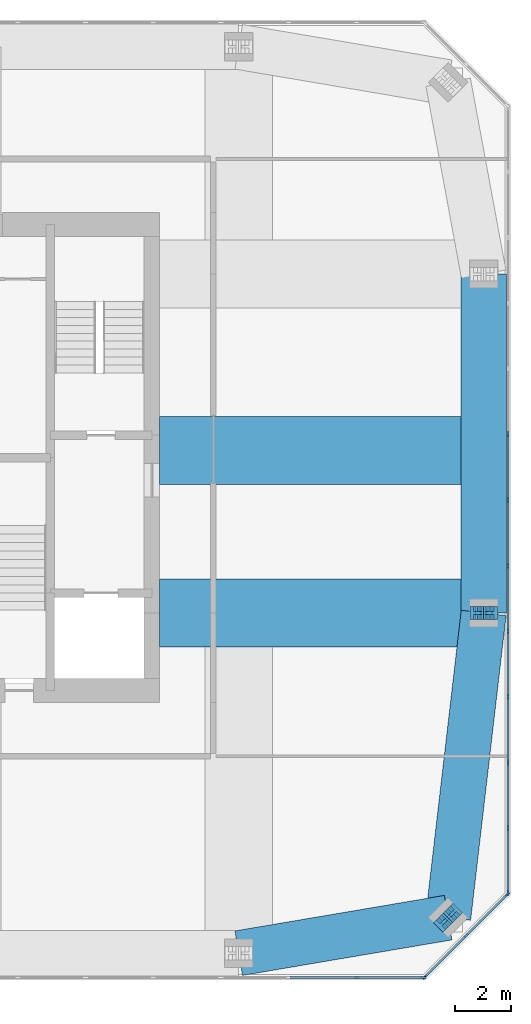
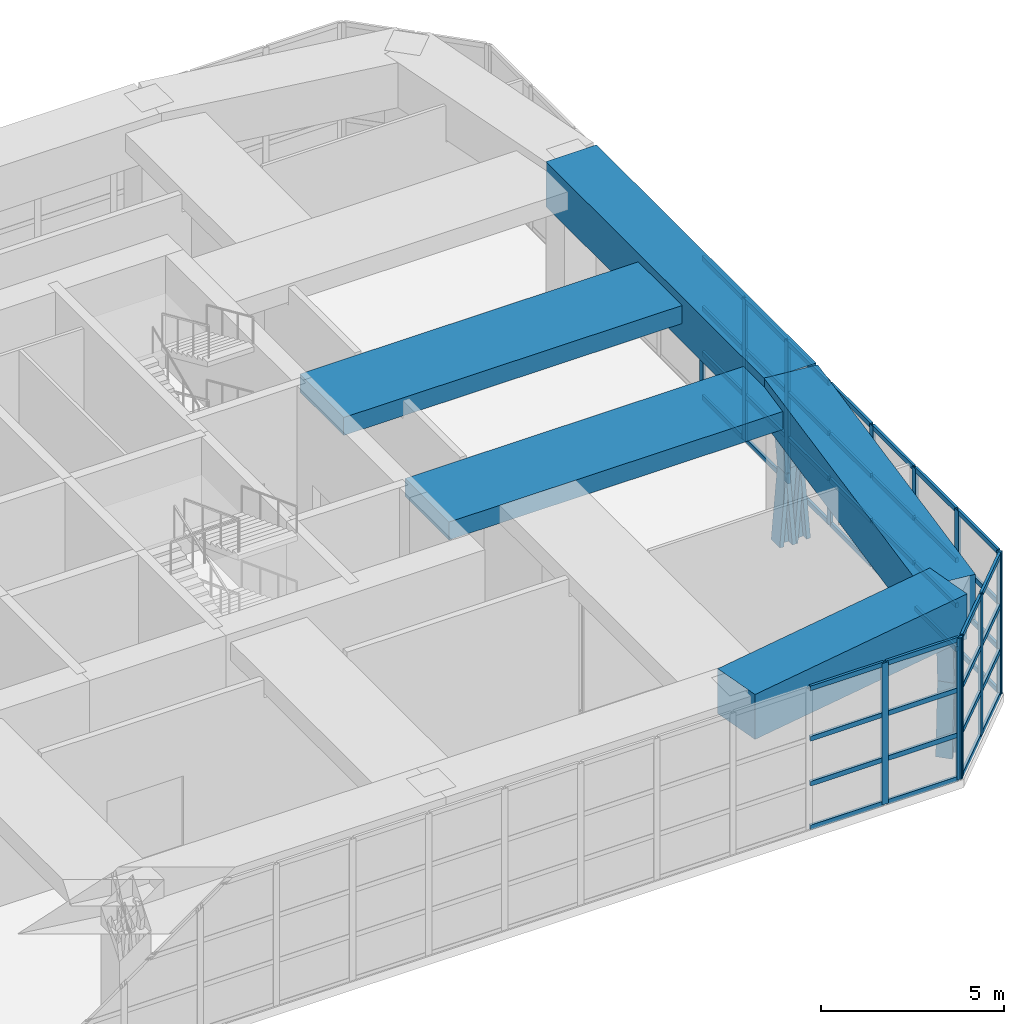
# One storey, part 5 of 14: 65 members, 5 beams, 3 elements without a shape of their own.
"""IFC4 building model written with IfcOpenShell, lengths in metres."""

import ifcopenshell
import ifcopenshell.guid

model = None  # the IFC model being written
_history = None  # IfcOwnerHistory: only IFC2X3 demands one
_inside = {}  # id of a spatial element -> (the spatial element, [elements in it])
_under = {}  # id of a project, library or spatial element -> (it, [spatial elements below it])
_declared = {}  # id of a project -> (the project, [libraries it declares])
_typed = {}  # id of a type object -> (the type object, [elements of that type])
_made_of = {}  # id of a material, layer set ... -> (it, [elements and type objects made of it])


def new_model(schema):
    """Start an empty IFC model of exactly this schema.

    Asked for "IFC4X3", IfcOpenShell would pick the latest addendum, in which some entities
    have other attributes; the version numbers below select the first issue.
    IFC2X3 requires an IfcOwnerHistory on every rooted entity: one is made here for all.
    """
    global model, _history
    if schema == "IFC4X3":
        model = ifcopenshell.file(schema_version=(4, 3, 0, 0))
    else:
        model = ifcopenshell.file(schema=schema)
    _inside.clear()
    _under.clear()
    _declared.clear()
    _typed.clear()
    _made_of.clear()
    _history = None
    if model.schema == "IFC2X3":
        org = make("IfcOrganization", Name="unknown")
        user = make(
            "IfcPersonAndOrganization",
            ThePerson=make("IfcPerson", FamilyName="unknown"),
            TheOrganization=org,
        )
        app = make(
            "IfcApplication",
            ApplicationDeveloper=org,
            Version="unknown",
            ApplicationFullName="unknown",
            ApplicationIdentifier="unknown",
        )
        _history = make(
            "IfcOwnerHistory",
            OwningUser=user,
            OwningApplication=app,
            ChangeAction="ADDED",
            CreationDate=0,
        )
    return model


def make(cls, **values):
    """One entity of the class cls with the attributes given. An attribute that is None is left unset."""
    return model.create_entity(
        cls, **{name: value for name, value in values.items() if value is not None}
    )


def rooted(cls, **values):
    """An entity with a GlobalId (a new one), such as an element, a storey or a relation."""
    return make(cls, GlobalId=ifcopenshell.guid.new(), OwnerHistory=_history, **values)


def si_unit(unit_type, name, prefix=None):
    """IfcSIUnit, for example si_unit("LENGTHUNIT", "METRE", prefix="MILLI")."""
    return make("IfcSIUnit", UnitType=unit_type, Prefix=prefix, Name=name)


def assignment(units):
    """IfcUnitAssignment: the units of a project."""
    return None if units is None else make("IfcUnitAssignment", Units=units)


def point(xyz):
    """IfcCartesianPoint."""
    return None if xyz is None else make("IfcCartesianPoint", Coordinates=xyz)


def direction(xyz):
    """IfcDirection."""
    return None if xyz is None else make("IfcDirection", DirectionRatios=xyz)


def frame(location, z_axis=None, x_axis=None):
    """IfcAxis2Placement3D, a coordinate frame: its origin and axes. An axis left out is left unset."""
    return make(
        "IfcAxis2Placement3D",
        Location=point(location),
        Axis=direction(z_axis),
        RefDirection=direction(x_axis),
    )


def frame_2d(location, x_axis=None):
    """IfcAxis2Placement2D, a coordinate frame in the plane: its origin and x axis."""
    return make(
        "IfcAxis2Placement2D", Location=point(location), RefDirection=direction(x_axis)
    )


def origin():
    """The frame at (0, 0, 0) with its axes left unset."""
    return frame((0.0, 0.0, 0.0))


def origin_2d():
    """The frame at (0, 0) in the plane with its x axis left unset."""
    return frame_2d((0.0, 0.0))


def place(relative_to, where):
    """IfcLocalPlacement: puts the frame where relative to a parent placement (None: the world)."""
    return make(
        "IfcLocalPlacement", PlacementRelTo=relative_to, RelativePlacement=where
    )


def context(
    kind, dimensions, precision=None, world=None, true_north=None, identifier=None
):
    """IfcGeometricRepresentationContext, for example the 3D "Model" context."""
    return make(
        "IfcGeometricRepresentationContext",
        ContextIdentifier=identifier,
        ContextType=kind,
        CoordinateSpaceDimension=dimensions,
        Precision=precision,
        WorldCoordinateSystem=world,
        TrueNorth=true_north,
    )


def subcontext(parent, identifier, kind, view, scale=None):
    """IfcGeometricRepresentationSubContext, for example "Body" below "Model"."""
    return make(
        "IfcGeometricRepresentationSubContext",
        ContextIdentifier=identifier,
        ContextType=kind,
        ParentContext=parent,
        TargetScale=scale,
        TargetView=view,
    )


def project(units=None, contexts=None):
    """IfcProject with its units and contexts."""
    return rooted(
        "IfcProject",
        Name="project",
        RepresentationContexts=contexts,
        UnitsInContext=assignment(units),
    )


def spatial(cls, under=None, at=None, **own):
    """A site, building, storey or space (cls), placed at a placement, below another one or the project."""
    s = rooted(cls, ObjectPlacement=at, **own)
    if under is not None:
        _under.setdefault(under.id(), (under, []))[1].append(s)
    return s


def profile(cls, at=None, kind="AREA", **sizes):
    """A parametric profile (cls). Its sizes go by their IFC names, for example OverallWidth=200.0."""
    return make(cls, ProfileType=kind, Position=at, **sizes)


def rectangle(**sizes):
    """IfcRectangleProfileDef."""
    return profile("IfcRectangleProfileDef", **sizes)


def i_section(**sizes):
    """IfcIShapeProfileDef."""
    return profile("IfcIShapeProfileDef", **sizes)


def extrude(swept, where, along, depth):
    """IfcExtrudedAreaSolid: the profile swept, set in the frame where, extruded along a direction by depth."""
    return make(
        "IfcExtrudedAreaSolid",
        SweptArea=swept,
        Position=where,
        ExtrudedDirection=direction(along),
        Depth=depth,
    )


def shape(context_of_items, identifier, shape_type, items):
    """IfcShapeRepresentation: the items that make up one representation, for example the "Body"."""
    return make(
        "IfcShapeRepresentation",
        ContextOfItems=context_of_items,
        RepresentationIdentifier=identifier,
        RepresentationType=shape_type,
        Items=items,
    )


def material(Name=None, Category=None):
    """IfcMaterial."""
    return make("IfcMaterial", Name=Name, Category=Category)


def material_profile(
    of_material, cross_section, Name=None, Category=None, Priority=None
):
    """IfcMaterialProfile: a cross section and its material."""
    return make(
        "IfcMaterialProfile",
        Name=Name,
        Material=of_material,
        Profile=cross_section,
        Priority=Priority,
        Category=Category,
    )


def profile_set(profiles, Name=None, composite=None):
    """IfcMaterialProfileSet."""
    return make(
        "IfcMaterialProfileSet",
        Name=Name,
        MaterialProfiles=profiles,
        CompositeProfile=composite,
    )


def made_of(thing, what):
    """Note that an element or type object is made of a material, layer set ...; save() writes the relation."""
    if what is not None:
        _made_of.setdefault(what.id(), (what, []))[1].append(thing)
    return thing


def type_object(cls, material=None, **own):
    """A type object (cls), such as IfcWallType, which elements share."""
    return made_of(rooted(cls, **own), material)


def element(
    cls,
    number,
    at=None,
    inside=None,
    cuts=None,
    type_object=None,
    material=None,
    context=None,
    identifier="Body",
    shape_type=None,
    held_by="IfcProductDefinitionShape",
    body=None,
    shapes=None,
    **own,
):
    """One element of the class cls, such as IfcWall. Its Tag is "e" and its number.

    at: its placement. inside: the storey or other place that contains it. cuts: it is an
    opening in that element (IfcRelVoidsElement). A single representation is given by context,
    identifier, shape_type and body (its items); several are given by shapes. held_by: the class
    of the entity that holds the representations. save() writes the other relations.
    """
    e = rooted(cls, Tag="e%d" % number, ObjectPlacement=at, **own)
    if body is not None:
        shapes = [shape(context, identifier, shape_type, body)]
    if shapes is not None:
        e.Representation = make(held_by, Representations=shapes)
    if inside is not None:
        _inside.setdefault(inside.id(), (inside, []))[1].append(e)
    if cuts is not None:
        rooted(
            "IfcRelVoidsElement", RelatingBuildingElement=cuts, RelatedOpeningElement=e
        )
    if type_object is not None:
        _typed.setdefault(type_object.id(), (type_object, []))[1].append(e)
    return made_of(e, material)


def aggregate(whole, parts):
    """IfcRelAggregates: a whole, such as a stair, and the parts it consists of."""
    return rooted("IfcRelAggregates", RelatingObject=whole, RelatedObjects=parts)


def save(model, path):
    """Write the relations noted so far, then the file.

    IfcRelAggregates (storeys below a building ...), IfcRelContainedInSpatialStructure (elements
    in a storey), IfcRelDefinesByType, IfcRelAssociatesMaterial and IfcRelDeclares: one each for
    every whole, place, type object, material and project.
    """
    for whole, parts in _under.values():
        aggregate(whole, parts)
    for where, things in _inside.values():
        rooted(
            "IfcRelContainedInSpatialStructure",
            RelatedElements=things,
            RelatingStructure=where,
        )
    for kind, things in _typed.values():
        rooted("IfcRelDefinesByType", RelatedObjects=things, RelatingType=kind)
    for what, things in _made_of.values():
        rooted("IfcRelAssociatesMaterial", RelatedObjects=things, RelatingMaterial=what)
    for by, libraries in _declared.values():
        rooted("IfcRelDeclares", RelatingContext=by, RelatedDefinitions=libraries)
    model.write(path)


model = new_model("IFC4")

# Units and contexts
model_context = context("Model", 3, precision=1e-05, world=origin(), true_north=direction((0.0, 1.0)))
body_context = subcontext(model_context, "Body", "Model", "MODEL_VIEW")
ifc_project = project(units=[si_unit("LENGTHUNIT", "METRE"), si_unit("AREAUNIT", "SQUARE_METRE"), si_unit("VOLUMEUNIT", "CUBIC_METRE"), si_unit("PLANEANGLEUNIT", "RADIAN"), si_unit("MASSUNIT", "GRAM", prefix="KILO")], contexts=[model_context])

# Site, building, storey
site_placement = place(None, origin())
site = spatial("IfcSite", under=ifc_project, at=site_placement, CompositionType="ELEMENT")
building_placement = place(site_placement, origin())
building = spatial("IfcBuilding", under=site, at=building_placement, Name="Jalousie Tower", CompositionType="ELEMENT")
storey_placement = place(building_placement, frame((0.0, 0.0, 267.75)))
storey = spatial("IfcBuildingStorey", under=building, at=storey_placement, Name="L73", CompositionType="ELEMENT", Elevation=267.75)

# Curtain wall, members
ifc_material_1 = material(Name="Aluminium curtain wall", Category="aluminium")
curtain_wall_type = type_object("IfcCurtainWallType", Name="CROWN LOUVRE WALL", PredefinedType="USERDEFINED", material=ifc_material_1)
curtain_wall_1_placement = place(storey_placement, origin())
curtain_wall_1 = element("IfcCurtainWall", 1, at=curtain_wall_1_placement, inside=storey, type_object=curtain_wall_type, Name="Crown Louvre Wall L73 1", ObjectType="CROWN LOUVRE WALL", PredefinedType="USERDEFINED")
ifc_material_2 = material(Name="Aluminium mullion", Category="aluminium")
ifc_material_profile_1 = material_profile(ifc_material_2, rectangle(XDim=0.080078125, YDim=0.199951171875, at=origin_2d()), Name="MULLION 80x200")
ifc_profile_set_1 = profile_set([ifc_material_profile_1], Name="Aluminium mullion")
member_type_1 = type_object("IfcMemberType", Name="CROWN LOUVRE WALL MULLION", PredefinedType="MULLION", material=ifc_profile_set_1)
member_1_placement = place(storey_placement, frame((51.048828125, 0.08740234375, 0.0), z_axis=(0.0, 0.0, 1.0), x_axis=(0.0, 1.0, 0.0)))
member_1 = element("IfcMember", 2, at=member_1_placement, type_object=member_type_1, Name="CW-L mullion 14", PredefinedType="MULLION", context=body_context, shape_type="SweptSolid", body=[
    extrude(rectangle(XDim=0.080078125, YDim=0.199951171875, at=origin_2d()), origin(), (0.0, 0.0, 1.0), 4.719970703125),
])
member_2_placement = place(storey_placement, frame((53.40869140625, 0.08740234375, 0.0), z_axis=(0.0, 0.0, 1.0), x_axis=(0.0, 1.0, 0.0)))
member_2 = element("IfcMember", 3, at=member_2_placement, type_object=member_type_1, Name="CW-L mullion 15", PredefinedType="MULLION", context=body_context, shape_type="SweptSolid", body=[
    extrude(rectangle(XDim=0.080078125, YDim=0.199951171875, at=origin_2d()), origin(), (0.0, 0.0, 1.0), 4.719970703125),
])

curtain_wall_2_placement = place(storey_placement, origin())
curtain_wall_2 = element("IfcCurtainWall", 4, at=curtain_wall_2_placement, inside=storey, type_object=curtain_wall_type, Name="Crown Louvre Wall L73 2", ObjectType="CROWN LOUVRE WALL", PredefinedType="USERDEFINED")
member_3_placement = place(storey_placement, frame((53.47705078125, 0.11572265625, 0.0), z_axis=(0.0, 0.0, 1.0), x_axis=(-0.707106781187, 0.707106781187, 0.0)))
member_3 = element("IfcMember", 5, at=member_3_placement, type_object=member_type_1, Name="CW-L mullion 1", PredefinedType="MULLION", context=body_context, shape_type="SweptSolid", body=[
    extrude(rectangle(XDim=0.080078125, YDim=0.199951171875, at=origin_2d()), origin(), (0.0, 0.0, 1.0), 4.719970703125),
])
member_4_placement = place(storey_placement, frame((54.9306640625, 1.5693359375, 0.0), z_axis=(0.0, 0.0, 1.0), x_axis=(-0.707106781187, 0.707106781187, 0.0)))
member_4 = element("IfcMember", 6, at=member_4_placement, type_object=member_type_1, Name="CW-L mullion 2", PredefinedType="MULLION", context=body_context, shape_type="SweptSolid", body=[
    extrude(rectangle(XDim=0.080078125, YDim=0.199951171875, at=origin_2d()), origin(), (0.0, 0.0, 1.0), 4.719970703125),
])
member_5_placement = place(storey_placement, frame((56.38427734375, 3.02294921875, 0.0), z_axis=(0.0, 0.0, 1.0), x_axis=(-0.707106781187, 0.707106781187, 0.0)))
member_5 = element("IfcMember", 7, at=member_5_placement, type_object=member_type_1, Name="CW-L mullion 3", PredefinedType="MULLION", context=body_context, shape_type="SweptSolid", body=[
    extrude(rectangle(XDim=0.080078125, YDim=0.199951171875, at=origin_2d()), origin(), (0.0, 0.0, 1.0), 4.719970703125),
])

curtain_wall_3_placement = place(storey_placement, origin())
curtain_wall_3 = element("IfcCurtainWall", 8, at=curtain_wall_3_placement, inside=storey, type_object=curtain_wall_type, Name="Crown Louvre Wall L73 3", ObjectType="CROWN LOUVRE WALL", PredefinedType="USERDEFINED")
member_6_placement = place(storey_placement, frame((56.41259765625, 3.09130859375, 0.0), z_axis=(0.0, 0.0, 1.0), x_axis=(-1.0, 0.0, 0.0)))
member_6 = element("IfcMember", 9, at=member_6_placement, type_object=member_type_1, Name="CW-L mullion 1", PredefinedType="MULLION", context=body_context, shape_type="SweptSolid", body=[
    extrude(rectangle(XDim=0.080078125, YDim=0.199951171875, at=origin_2d()), origin(), (0.0, 0.0, 1.0), 4.719970703125),
])
member_7_placement = place(storey_placement, frame((56.41259765625, 5.3759765625, 0.0), z_axis=(0.0, 0.0, 1.0), x_axis=(-1.0, 0.0, 0.0)))
member_7 = element("IfcMember", 10, at=member_7_placement, type_object=member_type_1, Name="CW-L mullion 2", PredefinedType="MULLION", context=body_context, shape_type="SweptSolid", body=[
    extrude(rectangle(XDim=0.080078125, YDim=0.199951171875, at=origin_2d()), origin(), (0.0, 0.0, 1.0), 4.719970703125),
])
member_8_placement = place(storey_placement, frame((56.41259765625, 7.700927734375, 0.0), z_axis=(0.0, 0.0, 1.0), x_axis=(-1.0, 0.0, 0.0)))
member_8 = element("IfcMember", 11, at=member_8_placement, type_object=member_type_1, Name="CW-L mullion 3", PredefinedType="MULLION", context=body_context, shape_type="SweptSolid", body=[
    extrude(rectangle(XDim=0.080078125, YDim=0.199951171875, at=origin_2d()), origin(), (0.0, 0.0, 1.0), 4.719970703125),
])
member_9_placement = place(storey_placement, frame((56.41259765625, 10.025634765625, 0.0), z_axis=(0.0, 0.0, 1.0), x_axis=(-1.0, 0.0, 0.0)))
member_9 = element("IfcMember", 12, at=member_9_placement, type_object=member_type_1, Name="CW-L mullion 4", PredefinedType="MULLION", context=body_context, shape_type="SweptSolid", body=[
    extrude(rectangle(XDim=0.080078125, YDim=0.199951171875, at=origin_2d()), origin(), (0.0, 0.0, 1.0), 4.719970703125),
])
member_10_placement = place(storey_placement, frame((56.41259765625, 12.350341796875, 0.0), z_axis=(0.0, 0.0, 1.0), x_axis=(-1.0, 0.0, 0.0)))
member_10 = element("IfcMember", 13, at=member_10_placement, type_object=member_type_1, Name="CW-L mullion 5", PredefinedType="MULLION", context=body_context, shape_type="SweptSolid", body=[
    extrude(rectangle(XDim=0.080078125, YDim=0.199951171875, at=origin_2d()), origin(), (0.0, 0.0, 1.0), 4.719970703125),
])
member_11_placement = place(storey_placement, frame((56.41259765625, 14.67529296875, 0.0), z_axis=(0.0, 0.0, 1.0), x_axis=(-1.0, 0.0, 0.0)))
member_11 = element("IfcMember", 14, at=member_11_placement, type_object=member_type_1, Name="CW-L mullion 6", PredefinedType="MULLION", context=body_context, shape_type="SweptSolid", body=[
    extrude(rectangle(XDim=0.080078125, YDim=0.199951171875, at=origin_2d()), origin(), (0.0, 0.0, 1.0), 4.719970703125),
])
member_12_placement = place(storey_placement, frame((56.41259765625, 17.0, 0.0), z_axis=(0.0, 0.0, 1.0), x_axis=(-1.0, 0.0, 0.0)))
member_12 = element("IfcMember", 15, at=member_12_placement, type_object=member_type_1, Name="CW-L mullion 7", PredefinedType="MULLION", context=body_context, shape_type="SweptSolid", body=[
    extrude(rectangle(XDim=0.080078125, YDim=0.199951171875, at=origin_2d()), origin(), (0.0, 0.0, 1.0), 4.719970703125),
])
member_13_placement = place(storey_placement, frame((56.41259765625, 19.32470703125, 0.0), z_axis=(0.0, 0.0, 1.0), x_axis=(-1.0, 0.0, 0.0)))
member_13 = element("IfcMember", 16, at=member_13_placement, type_object=member_type_1, Name="CW-L mullion 8", PredefinedType="MULLION", context=body_context, shape_type="SweptSolid", body=[
    extrude(rectangle(XDim=0.080078125, YDim=0.199951171875, at=origin_2d()), origin(), (0.0, 0.0, 1.0), 4.719970703125),
])

# Member
ifc_material_3 = material(Name="Aluminium transom", Category="aluminium")
ifc_material_profile_2 = material_profile(ifc_material_3, rectangle(XDim=0.080078125, YDim=0.159912109375, at=origin_2d()), Name="TRANSOM 80x160")
ifc_profile_set_2 = profile_set([ifc_material_profile_2], Name="Aluminium transom")
member_type_2 = type_object("IfcMemberType", Name="CROWN LOUVRE WALL TRANSOM", PredefinedType="USERDEFINED", material=ifc_profile_set_2)
member_14_placement = place(storey_placement, frame((48.68896484375, 0.08740234375, 0.0400390625), z_axis=(1.0, 0.0, 0.0), x_axis=(0.0, 1.0, 0.0)))
member_14 = element("IfcMember", 17, at=member_14_placement, type_object=member_type_2, Name="CW-L transom 13.1", ObjectType="TRANSOM", PredefinedType="USERDEFINED", context=body_context, shape_type="SweptSolid", body=[
    extrude(rectangle(XDim=0.080078125, YDim=0.159912109375, at=origin_2d()), origin(), (0.0, 0.0, 1.0), 2.31982421875),
])

member_15_placement = place(storey_placement, frame((48.68896484375, 0.08740234375, 1.5), z_axis=(1.0, 0.0, 0.0), x_axis=(0.0, 1.0, 0.0)))
member_15 = element("IfcMember", 18, at=member_15_placement, type_object=member_type_2, Name="CW-L transom 13.2", ObjectType="TRANSOM", PredefinedType="USERDEFINED", context=body_context, shape_type="SweptSolid", body=[
    extrude(rectangle(XDim=0.080078125, YDim=0.159912109375, at=origin_2d()), origin(), (0.0, 0.0, 1.0), 2.31982421875),
])

member_16_placement = place(storey_placement, frame((48.68896484375, 0.08740234375, 3.0), z_axis=(1.0, 0.0, 0.0), x_axis=(0.0, 1.0, 0.0)))
member_16 = element("IfcMember", 19, at=member_16_placement, type_object=member_type_2, Name="CW-L transom 13.3", ObjectType="TRANSOM", PredefinedType="USERDEFINED", context=body_context, shape_type="SweptSolid", body=[
    extrude(rectangle(XDim=0.080078125, YDim=0.159912109375, at=origin_2d()), origin(), (0.0, 0.0, 1.0), 2.31982421875),
])

member_17_placement = place(storey_placement, frame((48.68896484375, 0.08740234375, 4.679931640625), z_axis=(1.0, 0.0, 0.0), x_axis=(0.0, 1.0, 0.0)))
member_17 = element("IfcMember", 20, at=member_17_placement, type_object=member_type_2, Name="CW-L transom 13.4", ObjectType="TRANSOM", PredefinedType="USERDEFINED", context=body_context, shape_type="SweptSolid", body=[
    extrude(rectangle(XDim=0.080078125, YDim=0.159912109375, at=origin_2d()), origin(), (0.0, 0.0, 1.0), 2.31982421875),
])

member_18_placement = place(storey_placement, frame((51.0888671875, 0.08740234375, 0.0400390625), z_axis=(1.0, 0.0, 0.0), x_axis=(0.0, 1.0, 0.0)))
member_18 = element("IfcMember", 21, at=member_18_placement, type_object=member_type_2, Name="CW-L transom 14.1", ObjectType="TRANSOM", PredefinedType="USERDEFINED", context=body_context, shape_type="SweptSolid", body=[
    extrude(rectangle(XDim=0.080078125, YDim=0.159912109375, at=origin_2d()), origin(), (0.0, 0.0, 1.0), 2.27978515625),
])

member_19_placement = place(storey_placement, frame((51.0888671875, 0.08740234375, 1.5), z_axis=(1.0, 0.0, 0.0), x_axis=(0.0, 1.0, 0.0)))
member_19 = element("IfcMember", 22, at=member_19_placement, type_object=member_type_2, Name="CW-L transom 14.2", ObjectType="TRANSOM", PredefinedType="USERDEFINED", context=body_context, shape_type="SweptSolid", body=[
    extrude(rectangle(XDim=0.080078125, YDim=0.159912109375, at=origin_2d()), origin(), (0.0, 0.0, 1.0), 2.27978515625),
])

member_20_placement = place(storey_placement, frame((51.0888671875, 0.08740234375, 3.0), z_axis=(1.0, 0.0, 0.0), x_axis=(0.0, 1.0, 0.0)))
member_20 = element("IfcMember", 23, at=member_20_placement, type_object=member_type_2, Name="CW-L transom 14.3", ObjectType="TRANSOM", PredefinedType="USERDEFINED", context=body_context, shape_type="SweptSolid", body=[
    extrude(rectangle(XDim=0.080078125, YDim=0.159912109375, at=origin_2d()), origin(), (0.0, 0.0, 1.0), 2.27978515625),
])

member_21_placement = place(storey_placement, frame((51.0888671875, 0.08740234375, 4.679931640625), z_axis=(1.0, 0.0, 0.0), x_axis=(0.0, 1.0, 0.0)))
member_21 = element("IfcMember", 24, at=member_21_placement, type_object=member_type_2, Name="CW-L transom 14.4", ObjectType="TRANSOM", PredefinedType="USERDEFINED", context=body_context, shape_type="SweptSolid", body=[
    extrude(rectangle(XDim=0.080078125, YDim=0.159912109375, at=origin_2d()), origin(), (0.0, 0.0, 1.0), 2.27978515625),
])

aggregate(curtain_wall_1, [member_1, member_2, member_14, member_15, member_16, member_17, member_18, member_19, member_20, member_21])

member_22_placement = place(storey_placement, frame((53.50537109375, 0.14404296875, 0.0400390625), z_axis=(0.707106781187, 0.707106781187, 0.0), x_axis=(-0.707106781187, 0.707106781187, 0.0)))
member_22 = element("IfcMember", 25, at=member_22_placement, type_object=member_type_2, Name="CW-L transom 1.1", ObjectType="TRANSOM", PredefinedType="USERDEFINED", context=body_context, shape_type="SweptSolid", body=[
    extrude(rectangle(XDim=0.080078125, YDim=0.159912109375, at=origin_2d()), origin(), (0.0, 0.0, 1.0), 1.9755859375),
])

member_23_placement = place(storey_placement, frame((53.50537109375, 0.14404296875, 1.5), z_axis=(0.707106781187, 0.707106781187, 0.0), x_axis=(-0.707106781187, 0.707106781187, 0.0)))
member_23 = element("IfcMember", 26, at=member_23_placement, type_object=member_type_2, Name="CW-L transom 1.2", ObjectType="TRANSOM", PredefinedType="USERDEFINED", context=body_context, shape_type="SweptSolid", body=[
    extrude(rectangle(XDim=0.080078125, YDim=0.159912109375, at=origin_2d()), origin(), (0.0, 0.0, 1.0), 1.9755859375),
])

member_24_placement = place(storey_placement, frame((53.50537109375, 0.14404296875, 3.0), z_axis=(0.707106781187, 0.707106781187, 0.0), x_axis=(-0.707106781187, 0.707106781187, 0.0)))
member_24 = element("IfcMember", 27, at=member_24_placement, type_object=member_type_2, Name="CW-L transom 1.3", ObjectType="TRANSOM", PredefinedType="USERDEFINED", context=body_context, shape_type="SweptSolid", body=[
    extrude(rectangle(XDim=0.080078125, YDim=0.159912109375, at=origin_2d()), origin(), (0.0, 0.0, 1.0), 1.9755859375),
])

member_25_placement = place(storey_placement, frame((53.50537109375, 0.14404296875, 4.679931640625), z_axis=(0.707106781187, 0.707106781187, 0.0), x_axis=(-0.707106781187, 0.707106781187, 0.0)))
member_25 = element("IfcMember", 28, at=member_25_placement, type_object=member_type_2, Name="CW-L transom 1.4", ObjectType="TRANSOM", PredefinedType="USERDEFINED", context=body_context, shape_type="SweptSolid", body=[
    extrude(rectangle(XDim=0.080078125, YDim=0.159912109375, at=origin_2d()), origin(), (0.0, 0.0, 1.0), 1.9755859375),
])

member_26_placement = place(storey_placement, frame((54.958984375, 1.59765625, 0.0400390625), z_axis=(0.707106781187, 0.707106781187, 0.0), x_axis=(-0.707106781187, 0.707106781187, 0.0)))
member_26 = element("IfcMember", 29, at=member_26_placement, type_object=member_type_2, Name="CW-L transom 2.1", ObjectType="TRANSOM", PredefinedType="USERDEFINED", context=body_context, shape_type="SweptSolid", body=[
    extrude(rectangle(XDim=0.080078125, YDim=0.159912109375, at=origin_2d()), origin(), (0.0, 0.0, 1.0), 1.9755859375),
])

member_27_placement = place(storey_placement, frame((54.958984375, 1.59765625, 1.5), z_axis=(0.707106781187, 0.707106781187, 0.0), x_axis=(-0.707106781187, 0.707106781187, 0.0)))
member_27 = element("IfcMember", 30, at=member_27_placement, type_object=member_type_2, Name="CW-L transom 2.2", ObjectType="TRANSOM", PredefinedType="USERDEFINED", context=body_context, shape_type="SweptSolid", body=[
    extrude(rectangle(XDim=0.080078125, YDim=0.159912109375, at=origin_2d()), origin(), (0.0, 0.0, 1.0), 1.9755859375),
])

member_28_placement = place(storey_placement, frame((54.958984375, 1.59765625, 3.0), z_axis=(0.707106781187, 0.707106781187, 0.0), x_axis=(-0.707106781187, 0.707106781187, 0.0)))
member_28 = element("IfcMember", 31, at=member_28_placement, type_object=member_type_2, Name="CW-L transom 2.3", ObjectType="TRANSOM", PredefinedType="USERDEFINED", context=body_context, shape_type="SweptSolid", body=[
    extrude(rectangle(XDim=0.080078125, YDim=0.159912109375, at=origin_2d()), origin(), (0.0, 0.0, 1.0), 1.9755859375),
])

member_29_placement = place(storey_placement, frame((54.958984375, 1.59765625, 4.679931640625), z_axis=(0.707106781187, 0.707106781187, 0.0), x_axis=(-0.707106781187, 0.707106781187, 0.0)))
member_29 = element("IfcMember", 32, at=member_29_placement, type_object=member_type_2, Name="CW-L transom 2.4", ObjectType="TRANSOM", PredefinedType="USERDEFINED", context=body_context, shape_type="SweptSolid", body=[
    extrude(rectangle(XDim=0.080078125, YDim=0.159912109375, at=origin_2d()), origin(), (0.0, 0.0, 1.0), 1.9755859375),
])

aggregate(curtain_wall_2, [member_3, member_4, member_5, member_22, member_23, member_24, member_25, member_26, member_27, member_28, member_29])

member_30_placement = place(storey_placement, frame((56.41259765625, 3.13134765625, 0.0400390625), z_axis=(0.0, 1.0, 0.0), x_axis=(-1.0, 0.0, 0.0)))
member_30 = element("IfcMember", 33, at=member_30_placement, type_object=member_type_2, Name="CW-L transom 1.1", ObjectType="TRANSOM", PredefinedType="USERDEFINED", context=body_context, shape_type="SweptSolid", body=[
    extrude(rectangle(XDim=0.080078125, YDim=0.159912109375, at=origin_2d()), origin(), (0.0, 0.0, 1.0), 2.204833984375),
])

member_31_placement = place(storey_placement, frame((56.41259765625, 3.13134765625, 1.5), z_axis=(0.0, 1.0, 0.0), x_axis=(-1.0, 0.0, 0.0)))
member_31 = element("IfcMember", 34, at=member_31_placement, type_object=member_type_2, Name="CW-L transom 1.2", ObjectType="TRANSOM", PredefinedType="USERDEFINED", context=body_context, shape_type="SweptSolid", body=[
    extrude(rectangle(XDim=0.080078125, YDim=0.159912109375, at=origin_2d()), origin(), (0.0, 0.0, 1.0), 2.204833984375),
])

member_32_placement = place(storey_placement, frame((56.41259765625, 3.13134765625, 3.0), z_axis=(0.0, 1.0, 0.0), x_axis=(-1.0, 0.0, 0.0)))
member_32 = element("IfcMember", 35, at=member_32_placement, type_object=member_type_2, Name="CW-L transom 1.3", ObjectType="TRANSOM", PredefinedType="USERDEFINED", context=body_context, shape_type="SweptSolid", body=[
    extrude(rectangle(XDim=0.080078125, YDim=0.159912109375, at=origin_2d()), origin(), (0.0, 0.0, 1.0), 2.204833984375),
])

member_33_placement = place(storey_placement, frame((56.41259765625, 3.13134765625, 4.679931640625), z_axis=(0.0, 1.0, 0.0), x_axis=(-1.0, 0.0, 0.0)))
member_33 = element("IfcMember", 36, at=member_33_placement, type_object=member_type_2, Name="CW-L transom 1.4", ObjectType="TRANSOM", PredefinedType="USERDEFINED", context=body_context, shape_type="SweptSolid", body=[
    extrude(rectangle(XDim=0.080078125, YDim=0.159912109375, at=origin_2d()), origin(), (0.0, 0.0, 1.0), 2.204833984375),
])

member_34_placement = place(storey_placement, frame((56.41259765625, 5.416015625, 0.0400390625), z_axis=(0.0, 1.0, 0.0), x_axis=(-1.0, 0.0, 0.0)))
member_34 = element("IfcMember", 37, at=member_34_placement, type_object=member_type_2, Name="CW-L transom 2.1", ObjectType="TRANSOM", PredefinedType="USERDEFINED", context=body_context, shape_type="SweptSolid", body=[
    extrude(rectangle(XDim=0.080078125, YDim=0.159912109375, at=origin_2d()), origin(), (0.0, 0.0, 1.0), 2.244873046875),
])

member_35_placement = place(storey_placement, frame((56.41259765625, 5.416015625, 1.5), z_axis=(0.0, 1.0, 0.0), x_axis=(-1.0, 0.0, 0.0)))
member_35 = element("IfcMember", 38, at=member_35_placement, type_object=member_type_2, Name="CW-L transom 2.2", ObjectType="TRANSOM", PredefinedType="USERDEFINED", context=body_context, shape_type="SweptSolid", body=[
    extrude(rectangle(XDim=0.080078125, YDim=0.159912109375, at=origin_2d()), origin(), (0.0, 0.0, 1.0), 2.244873046875),
])

member_36_placement = place(storey_placement, frame((56.41259765625, 5.416015625, 3.0), z_axis=(0.0, 1.0, 0.0), x_axis=(-1.0, 0.0, 0.0)))
member_36 = element("IfcMember", 39, at=member_36_placement, type_object=member_type_2, Name="CW-L transom 2.3", ObjectType="TRANSOM", PredefinedType="USERDEFINED", context=body_context, shape_type="SweptSolid", body=[
    extrude(rectangle(XDim=0.080078125, YDim=0.159912109375, at=origin_2d()), origin(), (0.0, 0.0, 1.0), 2.244873046875),
])

member_37_placement = place(storey_placement, frame((56.41259765625, 5.416015625, 4.679931640625), z_axis=(0.0, 1.0, 0.0), x_axis=(-1.0, 0.0, 0.0)))
member_37 = element("IfcMember", 40, at=member_37_placement, type_object=member_type_2, Name="CW-L transom 2.4", ObjectType="TRANSOM", PredefinedType="USERDEFINED", context=body_context, shape_type="SweptSolid", body=[
    extrude(rectangle(XDim=0.080078125, YDim=0.159912109375, at=origin_2d()), origin(), (0.0, 0.0, 1.0), 2.244873046875),
])

member_38_placement = place(storey_placement, frame((56.41259765625, 7.740966796875, 0.0400390625), z_axis=(0.0, 1.0, 0.0), x_axis=(-1.0, 0.0, 0.0)))
member_38 = element("IfcMember", 41, at=member_38_placement, type_object=member_type_2, Name="CW-L transom 3.1", ObjectType="TRANSOM", PredefinedType="USERDEFINED", context=body_context, shape_type="SweptSolid", body=[
    extrude(rectangle(XDim=0.080078125, YDim=0.159912109375, at=origin_2d()), origin(), (0.0, 0.0, 1.0), 2.24462890625),
])

member_39_placement = place(storey_placement, frame((56.41259765625, 7.740966796875, 1.5), z_axis=(0.0, 1.0, 0.0), x_axis=(-1.0, 0.0, 0.0)))
member_39 = element("IfcMember", 42, at=member_39_placement, type_object=member_type_2, Name="CW-L transom 3.2", ObjectType="TRANSOM", PredefinedType="USERDEFINED", context=body_context, shape_type="SweptSolid", body=[
    extrude(rectangle(XDim=0.080078125, YDim=0.159912109375, at=origin_2d()), origin(), (0.0, 0.0, 1.0), 2.24462890625),
])

member_40_placement = place(storey_placement, frame((56.41259765625, 7.740966796875, 3.0), z_axis=(0.0, 1.0, 0.0), x_axis=(-1.0, 0.0, 0.0)))
member_40 = element("IfcMember", 43, at=member_40_placement, type_object=member_type_2, Name="CW-L transom 3.3", ObjectType="TRANSOM", PredefinedType="USERDEFINED", context=body_context, shape_type="SweptSolid", body=[
    extrude(rectangle(XDim=0.080078125, YDim=0.159912109375, at=origin_2d()), origin(), (0.0, 0.0, 1.0), 2.24462890625),
])

member_41_placement = place(storey_placement, frame((56.41259765625, 7.740966796875, 4.679931640625), z_axis=(0.0, 1.0, 0.0), x_axis=(-1.0, 0.0, 0.0)))
member_41 = element("IfcMember", 44, at=member_41_placement, type_object=member_type_2, Name="CW-L transom 3.4", ObjectType="TRANSOM", PredefinedType="USERDEFINED", context=body_context, shape_type="SweptSolid", body=[
    extrude(rectangle(XDim=0.080078125, YDim=0.159912109375, at=origin_2d()), origin(), (0.0, 0.0, 1.0), 2.24462890625),
])

member_42_placement = place(storey_placement, frame((56.41259765625, 10.065673828125, 0.0400390625), z_axis=(0.0, 1.0, 0.0), x_axis=(-1.0, 0.0, 0.0)))
member_42 = element("IfcMember", 45, at=member_42_placement, type_object=member_type_2, Name="CW-L transom 4.1", ObjectType="TRANSOM", PredefinedType="USERDEFINED", context=body_context, shape_type="SweptSolid", body=[
    extrude(rectangle(XDim=0.080078125, YDim=0.159912109375, at=origin_2d()), origin(), (0.0, 0.0, 1.0), 2.244873046875),
])

member_43_placement = place(storey_placement, frame((56.41259765625, 10.065673828125, 1.5), z_axis=(0.0, 1.0, 0.0), x_axis=(-1.0, 0.0, 0.0)))
member_43 = element("IfcMember", 46, at=member_43_placement, type_object=member_type_2, Name="CW-L transom 4.2", ObjectType="TRANSOM", PredefinedType="USERDEFINED", context=body_context, shape_type="SweptSolid", body=[
    extrude(rectangle(XDim=0.080078125, YDim=0.159912109375, at=origin_2d()), origin(), (0.0, 0.0, 1.0), 2.244873046875),
])

member_44_placement = place(storey_placement, frame((56.41259765625, 10.065673828125, 3.0), z_axis=(0.0, 1.0, 0.0), x_axis=(-1.0, 0.0, 0.0)))
member_44 = element("IfcMember", 47, at=member_44_placement, type_object=member_type_2, Name="CW-L transom 4.3", ObjectType="TRANSOM", PredefinedType="USERDEFINED", context=body_context, shape_type="SweptSolid", body=[
    extrude(rectangle(XDim=0.080078125, YDim=0.159912109375, at=origin_2d()), origin(), (0.0, 0.0, 1.0), 2.244873046875),
])

member_45_placement = place(storey_placement, frame((56.41259765625, 10.065673828125, 4.679931640625), z_axis=(0.0, 1.0, 0.0), x_axis=(-1.0, 0.0, 0.0)))
member_45 = element("IfcMember", 48, at=member_45_placement, type_object=member_type_2, Name="CW-L transom 4.4", ObjectType="TRANSOM", PredefinedType="USERDEFINED", context=body_context, shape_type="SweptSolid", body=[
    extrude(rectangle(XDim=0.080078125, YDim=0.159912109375, at=origin_2d()), origin(), (0.0, 0.0, 1.0), 2.244873046875),
])

member_46_placement = place(storey_placement, frame((56.41259765625, 12.390380859375, 0.0400390625), z_axis=(0.0, 1.0, 0.0), x_axis=(-1.0, 0.0, 0.0)))
member_46 = element("IfcMember", 49, at=member_46_placement, type_object=member_type_2, Name="CW-L transom 5.1", ObjectType="TRANSOM", PredefinedType="USERDEFINED", context=body_context, shape_type="SweptSolid", body=[
    extrude(rectangle(XDim=0.080078125, YDim=0.159912109375, at=origin_2d()), origin(), (0.0, 0.0, 1.0), 2.244873046875),
])

member_47_placement = place(storey_placement, frame((56.41259765625, 12.390380859375, 1.5), z_axis=(0.0, 1.0, 0.0), x_axis=(-1.0, 0.0, 0.0)))
member_47 = element("IfcMember", 50, at=member_47_placement, type_object=member_type_2, Name="CW-L transom 5.2", ObjectType="TRANSOM", PredefinedType="USERDEFINED", context=body_context, shape_type="SweptSolid", body=[
    extrude(rectangle(XDim=0.080078125, YDim=0.159912109375, at=origin_2d()), origin(), (0.0, 0.0, 1.0), 2.244873046875),
])

member_48_placement = place(storey_placement, frame((56.41259765625, 12.390380859375, 3.0), z_axis=(0.0, 1.0, 0.0), x_axis=(-1.0, 0.0, 0.0)))
member_48 = element("IfcMember", 51, at=member_48_placement, type_object=member_type_2, Name="CW-L transom 5.3", ObjectType="TRANSOM", PredefinedType="USERDEFINED", context=body_context, shape_type="SweptSolid", body=[
    extrude(rectangle(XDim=0.080078125, YDim=0.159912109375, at=origin_2d()), origin(), (0.0, 0.0, 1.0), 2.244873046875),
])

member_49_placement = place(storey_placement, frame((56.41259765625, 12.390380859375, 4.679931640625), z_axis=(0.0, 1.0, 0.0), x_axis=(-1.0, 0.0, 0.0)))
member_49 = element("IfcMember", 52, at=member_49_placement, type_object=member_type_2, Name="CW-L transom 5.4", ObjectType="TRANSOM", PredefinedType="USERDEFINED", context=body_context, shape_type="SweptSolid", body=[
    extrude(rectangle(XDim=0.080078125, YDim=0.159912109375, at=origin_2d()), origin(), (0.0, 0.0, 1.0), 2.244873046875),
])

member_50_placement = place(storey_placement, frame((56.41259765625, 14.71533203125, 0.0400390625), z_axis=(0.0, 1.0, 0.0), x_axis=(-1.0, 0.0, 0.0)))
member_50 = element("IfcMember", 53, at=member_50_placement, type_object=member_type_2, Name="CW-L transom 6.1", ObjectType="TRANSOM", PredefinedType="USERDEFINED", context=body_context, shape_type="SweptSolid", body=[
    extrude(rectangle(XDim=0.080078125, YDim=0.159912109375, at=origin_2d()), origin(), (0.0, 0.0, 1.0), 2.24462890625),
])

member_51_placement = place(storey_placement, frame((56.41259765625, 14.71533203125, 1.5), z_axis=(0.0, 1.0, 0.0), x_axis=(-1.0, 0.0, 0.0)))
member_51 = element("IfcMember", 54, at=member_51_placement, type_object=member_type_2, Name="CW-L transom 6.2", ObjectType="TRANSOM", PredefinedType="USERDEFINED", context=body_context, shape_type="SweptSolid", body=[
    extrude(rectangle(XDim=0.080078125, YDim=0.159912109375, at=origin_2d()), origin(), (0.0, 0.0, 1.0), 2.24462890625),
])

member_52_placement = place(storey_placement, frame((56.41259765625, 14.71533203125, 3.0), z_axis=(0.0, 1.0, 0.0), x_axis=(-1.0, 0.0, 0.0)))
member_52 = element("IfcMember", 55, at=member_52_placement, type_object=member_type_2, Name="CW-L transom 6.3", ObjectType="TRANSOM", PredefinedType="USERDEFINED", context=body_context, shape_type="SweptSolid", body=[
    extrude(rectangle(XDim=0.080078125, YDim=0.159912109375, at=origin_2d()), origin(), (0.0, 0.0, 1.0), 2.24462890625),
])

member_53_placement = place(storey_placement, frame((56.41259765625, 14.71533203125, 4.679931640625), z_axis=(0.0, 1.0, 0.0), x_axis=(-1.0, 0.0, 0.0)))
member_53 = element("IfcMember", 56, at=member_53_placement, type_object=member_type_2, Name="CW-L transom 6.4", ObjectType="TRANSOM", PredefinedType="USERDEFINED", context=body_context, shape_type="SweptSolid", body=[
    extrude(rectangle(XDim=0.080078125, YDim=0.159912109375, at=origin_2d()), origin(), (0.0, 0.0, 1.0), 2.24462890625),
])

member_54_placement = place(storey_placement, frame((56.41259765625, 17.0400390625, 0.0400390625), z_axis=(0.0, 1.0, 0.0), x_axis=(-1.0, 0.0, 0.0)))
member_54 = element("IfcMember", 57, at=member_54_placement, type_object=member_type_2, Name="CW-L transom 7.1", ObjectType="TRANSOM", PredefinedType="USERDEFINED", context=body_context, shape_type="SweptSolid", body=[
    extrude(rectangle(XDim=0.080078125, YDim=0.159912109375, at=origin_2d()), origin(), (0.0, 0.0, 1.0), 2.24462890625),
])

member_55_placement = place(storey_placement, frame((56.41259765625, 17.0400390625, 1.5), z_axis=(0.0, 1.0, 0.0), x_axis=(-1.0, 0.0, 0.0)))
member_55 = element("IfcMember", 58, at=member_55_placement, type_object=member_type_2, Name="CW-L transom 7.2", ObjectType="TRANSOM", PredefinedType="USERDEFINED", context=body_context, shape_type="SweptSolid", body=[
    extrude(rectangle(XDim=0.080078125, YDim=0.159912109375, at=origin_2d()), origin(), (0.0, 0.0, 1.0), 2.24462890625),
])

member_56_placement = place(storey_placement, frame((56.41259765625, 17.0400390625, 3.0), z_axis=(0.0, 1.0, 0.0), x_axis=(-1.0, 0.0, 0.0)))
member_56 = element("IfcMember", 59, at=member_56_placement, type_object=member_type_2, Name="CW-L transom 7.3", ObjectType="TRANSOM", PredefinedType="USERDEFINED", context=body_context, shape_type="SweptSolid", body=[
    extrude(rectangle(XDim=0.080078125, YDim=0.159912109375, at=origin_2d()), origin(), (0.0, 0.0, 1.0), 2.24462890625),
])

member_57_placement = place(storey_placement, frame((56.41259765625, 17.0400390625, 4.679931640625), z_axis=(0.0, 1.0, 0.0), x_axis=(-1.0, 0.0, 0.0)))
member_57 = element("IfcMember", 60, at=member_57_placement, type_object=member_type_2, Name="CW-L transom 7.4", ObjectType="TRANSOM", PredefinedType="USERDEFINED", context=body_context, shape_type="SweptSolid", body=[
    extrude(rectangle(XDim=0.080078125, YDim=0.159912109375, at=origin_2d()), origin(), (0.0, 0.0, 1.0), 2.24462890625),
])

aggregate(curtain_wall_3, [member_6, member_7, member_8, member_9, member_10, member_11, member_12, member_13, member_30, member_31, member_32, member_33, member_34, member_35, member_36, member_37, member_38, member_39, member_40, member_41, member_42, member_43, member_44, member_45, member_46, member_47, member_48, member_49, member_50, member_51, member_52, member_53, member_54, member_55, member_56, member_57])

# Members
ifc_material_4 = material(Name="Steel ASTM A992 Grade 50", Category="steel")
ifc_material_profile_3 = material_profile(ifc_material_4, i_section(OverallWidth=0.472412109375, OverallDepth=0.5791015625, WebThickness=0.094970703125, FlangeThickness=0.1298828125, at=origin_2d()), Name="W14X808")
ifc_profile_set_3 = profile_set([ifc_material_profile_3], Name="Steel ASTM A992 Grade 50")
member_type_3 = type_object("IfcMemberType", Name="PERIMETER BRACE W14X808", PredefinedType="BRACE", material=ifc_profile_set_3)
for number, where, z_axis, x_axis, name in (
    (61, (54.151611328125, 2.065673828125, -0.60009765625), (0.058093491513, 0.058093491513, 0.996619432124), (-0.707106781187, 0.707106781187, 0.0), "Perimeter brace 05 L73 part 1"),
    (62, (54.29296875, 2.20703125, 1.824951171875), (0.058093491513, 0.058093491513, 0.996619432124), (-0.707106781187, 0.707106781187, 0.0), "Perimeter brace 05 L73 part 2"),
    (63, (54.434326171875, 2.348388671875, -0.60009765625), (-0.058093491513, -0.058093491513, 0.996619432124), (0.707106781187, -0.707106781187, 0.0), "Perimeter brace 05 L73 part 3"),
    (64, (54.29296875, 2.20703125, 1.824951171875), (-0.058093491513, -0.058093491513, 0.996619432124), (0.707106781187, -0.707106781187, 0.0), "Perimeter brace 05 L73 part 4"),
    (65, (55.35009765625, 13.0, -0.60009765625), (0.08217357985, 0.0, 0.996618032535), (0.0, 1.0, 0.0), "Perimeter brace 06 L73 part 1"),
    (66, (55.550048828125, 13.0, 1.824951171875), (0.08217357985, 0.0, 0.996618032535), (0.0, 1.0, 0.0), "Perimeter brace 06 L73 part 2"),
    (67, (55.75, 13.0, -0.60009765625), (-0.08217357985, 0.0, 0.996618032535), (0.0, -1.0, 0.0), "Perimeter brace 06 L73 part 3"),
    (68, (55.550048828125, 13.0, 1.824951171875), (-0.08217357985, 0.0, 0.996618032535), (0.0, -1.0, 0.0), "Perimeter brace 06 L73 part 4"),
):
    element("IfcMember", number, at=place(storey_placement, frame(where, z_axis=z_axis, x_axis=x_axis)), inside=storey, type_object=member_type_3, Name=name, PredefinedType="BRACE", context=body_context, shape_type="SweptSolid", body=[
        extrude(i_section(OverallWidth=0.472412109375, OverallDepth=0.5791015625, WebThickness=0.094970703125, FlangeThickness=0.1298828125, at=origin_2d()), origin(), (0.0, 0.0, 1.0), 2.433349609375),
    ])

# Beams
ifc_material_5 = material(Name="Concrete f'c 40 MPa", Category="concrete")
ifc_material_profile_4 = material_profile(ifc_material_5, rectangle(XDim=1.60009765625, YDim=1.5, at=origin_2d()), Name="RC 1600x1500")
ifc_profile_set_4 = profile_set([ifc_material_profile_4], Name="Concrete f'c 40 MPa")
beam_type_1 = type_object("IfcBeamType", Name="RC BEAM 1600x1500", PredefinedType="BEAM", material=ifc_profile_set_4)
beam_1_placement = place(storey_placement, frame((46.875, 0.949951171875, 4.25), z_axis=(0.985942997446, 0.167082033105, 0.0), x_axis=(-0.167082033105, 0.985942997446, 0.0)))
element("IfcBeam", 69, at=beam_1_placement, inside=storey, type_object=beam_type_1, Name="Edge band beam 04-05 under L74", PredefinedType="BEAM", context=body_context, shape_type="SweptSolid", body=[
    extrude(rectangle(XDim=1.60009765625, YDim=1.5, at=origin_2d()), origin(), (0.0, 0.0, 1.0), 7.523681640625),
])
beam_2_placement = place(storey_placement, frame((54.29296875, 2.20703125, 4.25), z_axis=(0.115690063472, 0.993285361421, 0.0), x_axis=(-0.993285361421, 0.115690063472, 0.0)))
element("IfcBeam", 70, at=beam_2_placement, inside=storey, type_object=beam_type_1, Name="Edge band beam 05-06 under L74", PredefinedType="BEAM", context=body_context, shape_type="SweptSolid", body=[
    extrude(rectangle(XDim=1.60009765625, YDim=1.5, at=origin_2d()), origin(), (0.0, 0.0, 1.0), 10.865966796875),
])
beam_3_placement = place(storey_placement, frame((55.550048828125, 13.0, 4.25), z_axis=(0.0, 1.0, 0.0), x_axis=(-1.0, 0.0, 0.0)))
element("IfcBeam", 71, at=beam_3_placement, inside=storey, type_object=beam_type_1, Name="Edge band beam 06-07 under L74", PredefinedType="BEAM", context=body_context, shape_type="SweptSolid", body=[
    extrude(rectangle(XDim=1.60009765625, YDim=1.5, at=origin_2d()), origin(), (0.0, 0.0, 1.0), 12.0),
])
ifc_material_6 = material(Name="Concrete f'c 40 MPa", Category="concrete")
ifc_material_profile_5 = material_profile(ifc_material_6, rectangle(XDim=2.39990234375, YDim=0.60009765625, at=origin_2d()), Name="RC 2400x600")
ifc_profile_set_5 = profile_set([ifc_material_profile_5], Name="Concrete f'c 40 MPa")
beam_type_2 = type_object("IfcBeamType", Name="RC BEAM 2400x600", PredefinedType="BEAM", material=ifc_profile_set_5)
beam_4_placement = place(storey_placement, frame((55.550048828125, 13.0, 4.419921875), z_axis=(-1.0, 0.0, 0.0), x_axis=(0.0, -1.0, 0.0)))
element("IfcBeam", 72, at=beam_4_placement, inside=storey, type_object=beam_type_2, Name="Floor band beam under L74", PredefinedType="BEAM", context=body_context, shape_type="SweptSolid", body=[
    extrude(rectangle(XDim=2.39990234375, YDim=0.60009765625, at=origin_2d()), origin(), (0.0, 0.0, 1.0), 11.47509765625),
])
beam_5_placement = place(storey_placement, frame((44.074951171875, 18.75, 4.419921875), z_axis=(1.0, 0.0, 0.0), x_axis=(0.0, 1.0, 0.0)))
element("IfcBeam", 73, at=beam_5_placement, inside=storey, type_object=beam_type_2, Name="Floor band beam under L74", PredefinedType="BEAM", context=body_context, shape_type="SweptSolid", body=[
    extrude(rectangle(XDim=2.39990234375, YDim=0.60009765625, at=origin_2d()), origin(), (0.0, 0.0, 1.0), 10.675048828125),
])

save(model, "model.ifc")
